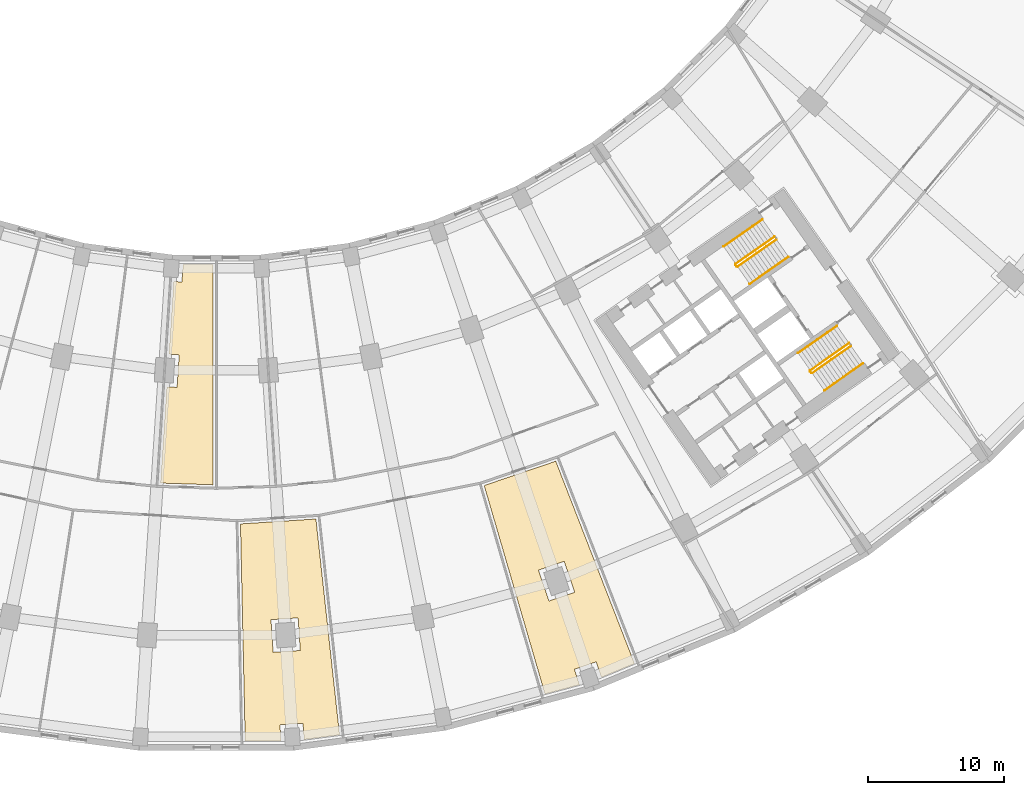
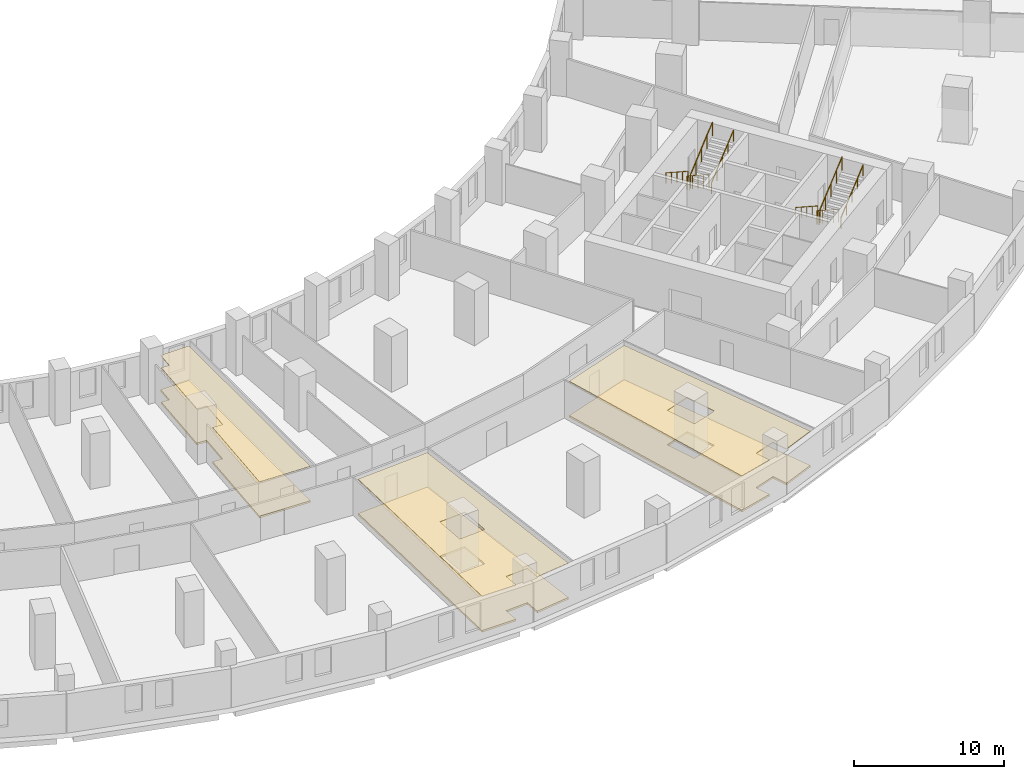
# One storey, part 17 of 19: 8 railings, 6 coverings.
"""IFC4 building model written with IfcOpenShell, lengths in metres."""

import ifcopenshell
import ifcopenshell.guid

model = None  # the IFC model being written
_history = None  # IfcOwnerHistory: only IFC2X3 demands one
_inside = {}  # id of a spatial element -> (the spatial element, [elements in it])
_under = {}  # id of a project, library or spatial element -> (it, [spatial elements below it])
_declared = {}  # id of a project -> (the project, [libraries it declares])
_typed = {}  # id of a type object -> (the type object, [elements of that type])
_made_of = {}  # id of a material, layer set ... -> (it, [elements and type objects made of it])


def new_model(schema):
    """Start an empty IFC model of exactly this schema.

    Asked for "IFC4X3", IfcOpenShell would pick the latest addendum, in which some entities
    have other attributes; the version numbers below select the first issue.
    IFC2X3 requires an IfcOwnerHistory on every rooted entity: one is made here for all.
    """
    global model, _history
    if schema == "IFC4X3":
        model = ifcopenshell.file(schema_version=(4, 3, 0, 0))
    else:
        model = ifcopenshell.file(schema=schema)
    _inside.clear()
    _under.clear()
    _declared.clear()
    _typed.clear()
    _made_of.clear()
    _history = None
    if model.schema == "IFC2X3":
        org = make("IfcOrganization", Name="unknown")
        user = make(
            "IfcPersonAndOrganization",
            ThePerson=make("IfcPerson", FamilyName="unknown"),
            TheOrganization=org,
        )
        app = make(
            "IfcApplication",
            ApplicationDeveloper=org,
            Version="unknown",
            ApplicationFullName="unknown",
            ApplicationIdentifier="unknown",
        )
        _history = make(
            "IfcOwnerHistory",
            OwningUser=user,
            OwningApplication=app,
            ChangeAction="ADDED",
            CreationDate=0,
        )
    return model


def make(cls, **values):
    """One entity of the class cls with the attributes given. An attribute that is None is left unset."""
    return model.create_entity(
        cls, **{name: value for name, value in values.items() if value is not None}
    )


def rooted(cls, **values):
    """An entity with a GlobalId (a new one), such as an element, a storey or a relation."""
    return make(cls, GlobalId=ifcopenshell.guid.new(), OwnerHistory=_history, **values)


def si_unit(unit_type, name, prefix=None):
    """IfcSIUnit, for example si_unit("LENGTHUNIT", "METRE", prefix="MILLI")."""
    return make("IfcSIUnit", UnitType=unit_type, Prefix=prefix, Name=name)


def assignment(units):
    """IfcUnitAssignment: the units of a project."""
    return None if units is None else make("IfcUnitAssignment", Units=units)


def point(xyz):
    """IfcCartesianPoint."""
    return None if xyz is None else make("IfcCartesianPoint", Coordinates=xyz)


def direction(xyz):
    """IfcDirection."""
    return None if xyz is None else make("IfcDirection", DirectionRatios=xyz)


def frame(location, z_axis=None, x_axis=None):
    """IfcAxis2Placement3D, a coordinate frame: its origin and axes. An axis left out is left unset."""
    return make(
        "IfcAxis2Placement3D",
        Location=point(location),
        Axis=direction(z_axis),
        RefDirection=direction(x_axis),
    )


def frame_2d(location, x_axis=None):
    """IfcAxis2Placement2D, a coordinate frame in the plane: its origin and x axis."""
    return make(
        "IfcAxis2Placement2D", Location=point(location), RefDirection=direction(x_axis)
    )


def origin():
    """The frame at (0, 0, 0) with its axes left unset."""
    return frame((0.0, 0.0, 0.0))


def origin_2d():
    """The frame at (0, 0) in the plane with its x axis left unset."""
    return frame_2d((0.0, 0.0))


def place(relative_to, where):
    """IfcLocalPlacement: puts the frame where relative to a parent placement (None: the world)."""
    return make(
        "IfcLocalPlacement", PlacementRelTo=relative_to, RelativePlacement=where
    )


def context(
    kind, dimensions, precision=None, world=None, true_north=None, identifier=None
):
    """IfcGeometricRepresentationContext, for example the 3D "Model" context."""
    return make(
        "IfcGeometricRepresentationContext",
        ContextIdentifier=identifier,
        ContextType=kind,
        CoordinateSpaceDimension=dimensions,
        Precision=precision,
        WorldCoordinateSystem=world,
        TrueNorth=true_north,
    )


def subcontext(parent, identifier, kind, view, scale=None):
    """IfcGeometricRepresentationSubContext, for example "Body" below "Model"."""
    return make(
        "IfcGeometricRepresentationSubContext",
        ContextIdentifier=identifier,
        ContextType=kind,
        ParentContext=parent,
        TargetScale=scale,
        TargetView=view,
    )


def project(units=None, contexts=None):
    """IfcProject with its units and contexts."""
    return rooted(
        "IfcProject",
        Name="project",
        RepresentationContexts=contexts,
        UnitsInContext=assignment(units),
    )


def spatial(cls, under=None, at=None, **own):
    """A site, building, storey or space (cls), placed at a placement, below another one or the project."""
    s = rooted(cls, ObjectPlacement=at, **own)
    if under is not None:
        _under.setdefault(under.id(), (under, []))[1].append(s)
    return s


def polyline(points):
    """IfcPolyline through the points."""
    return make("IfcPolyline", Points=[point(p) for p in points])


def profile(cls, at=None, kind="AREA", **sizes):
    """A parametric profile (cls). Its sizes go by their IFC names, for example OverallWidth=200.0."""
    return make(cls, ProfileType=kind, Position=at, **sizes)


def circle(**sizes):
    """IfcCircleProfileDef."""
    return profile("IfcCircleProfileDef", **sizes)


def outline(outer, holes=None, kind="AREA"):
    """IfcArbitraryClosedProfileDef: a profile drawn as a closed curve; with holes, ...WithVoids."""
    if holes is None:
        return make("IfcArbitraryClosedProfileDef", ProfileType=kind, OuterCurve=outer)
    return make(
        "IfcArbitraryProfileDefWithVoids",
        ProfileType=kind,
        OuterCurve=outer,
        InnerCurves=holes,
    )


def extrude(swept, where, along, depth):
    """IfcExtrudedAreaSolid: the profile swept, set in the frame where, extruded along a direction by depth."""
    return make(
        "IfcExtrudedAreaSolid",
        SweptArea=swept,
        Position=where,
        ExtrudedDirection=direction(along),
        Depth=depth,
    )


def shape(context_of_items, identifier, shape_type, items):
    """IfcShapeRepresentation: the items that make up one representation, for example the "Body"."""
    return make(
        "IfcShapeRepresentation",
        ContextOfItems=context_of_items,
        RepresentationIdentifier=identifier,
        RepresentationType=shape_type,
        Items=items,
    )


def material(Name=None, Category=None):
    """IfcMaterial."""
    return make("IfcMaterial", Name=Name, Category=Category)


def layer(
    of_material, thickness, ventilated=None, Name=None, Category=None, Priority=None
):
    """IfcMaterialLayer: one layer of a wall or slab, of a material (None: an air gap)."""
    return make(
        "IfcMaterialLayer",
        Material=of_material,
        LayerThickness=thickness,
        IsVentilated=ventilated,
        Name=Name,
        Category=Category,
        Priority=Priority,
    )


def layer_set(layers, Name=None):
    """IfcMaterialLayerSet."""
    return make("IfcMaterialLayerSet", MaterialLayers=layers, LayerSetName=Name)


def made_of(thing, what):
    """Note that an element or type object is made of a material, layer set ...; save() writes the relation."""
    if what is not None:
        _made_of.setdefault(what.id(), (what, []))[1].append(thing)
    return thing


def type_object(cls, material=None, **own):
    """A type object (cls), such as IfcWallType, which elements share."""
    return made_of(rooted(cls, **own), material)


def element(
    cls,
    number,
    at=None,
    inside=None,
    cuts=None,
    type_object=None,
    material=None,
    context=None,
    identifier="Body",
    shape_type=None,
    held_by="IfcProductDefinitionShape",
    body=None,
    shapes=None,
    **own,
):
    """One element of the class cls, such as IfcWall. Its Tag is "e" and its number.

    at: its placement. inside: the storey or other place that contains it. cuts: it is an
    opening in that element (IfcRelVoidsElement). A single representation is given by context,
    identifier, shape_type and body (its items); several are given by shapes. held_by: the class
    of the entity that holds the representations. save() writes the other relations.
    """
    e = rooted(cls, Tag="e%d" % number, ObjectPlacement=at, **own)
    if body is not None:
        shapes = [shape(context, identifier, shape_type, body)]
    if shapes is not None:
        e.Representation = make(held_by, Representations=shapes)
    if inside is not None:
        _inside.setdefault(inside.id(), (inside, []))[1].append(e)
    if cuts is not None:
        rooted(
            "IfcRelVoidsElement", RelatingBuildingElement=cuts, RelatedOpeningElement=e
        )
    if type_object is not None:
        _typed.setdefault(type_object.id(), (type_object, []))[1].append(e)
    return made_of(e, material)


def aggregate(whole, parts):
    """IfcRelAggregates: a whole, such as a stair, and the parts it consists of."""
    return rooted("IfcRelAggregates", RelatingObject=whole, RelatedObjects=parts)


def save(model, path):
    """Write the relations noted so far, then the file.

    IfcRelAggregates (storeys below a building ...), IfcRelContainedInSpatialStructure (elements
    in a storey), IfcRelDefinesByType, IfcRelAssociatesMaterial and IfcRelDeclares: one each for
    every whole, place, type object, material and project.
    """
    for whole, parts in _under.values():
        aggregate(whole, parts)
    for where, things in _inside.values():
        rooted(
            "IfcRelContainedInSpatialStructure",
            RelatedElements=things,
            RelatingStructure=where,
        )
    for kind, things in _typed.values():
        rooted("IfcRelDefinesByType", RelatedObjects=things, RelatingType=kind)
    for what, things in _made_of.values():
        rooted("IfcRelAssociatesMaterial", RelatedObjects=things, RelatingMaterial=what)
    for by, libraries in _declared.values():
        rooted("IfcRelDeclares", RelatingContext=by, RelatedDefinitions=libraries)
    model.write(path)


model = new_model("IFC4")

# Units and contexts
model_context = context("Model", 3, precision=1e-05, world=origin(), true_north=direction((0.0, 1.0)))
body_context = subcontext(model_context, "Body", "Model", "MODEL_VIEW")
ifc_project = project(units=[si_unit("LENGTHUNIT", "METRE"), si_unit("AREAUNIT", "SQUARE_METRE"), si_unit("VOLUMEUNIT", "CUBIC_METRE"), si_unit("PLANEANGLEUNIT", "RADIAN"), si_unit("MASSUNIT", "GRAM", prefix="KILO")], contexts=[model_context])

# Site, building, storey
site_placement = place(None, origin())
site = spatial("IfcSite", under=ifc_project, at=site_placement, CompositionType="ELEMENT")
building_placement = place(site_placement, origin())
building = spatial("IfcBuilding", under=site, at=building_placement, Name="Qamariyya Broadcast Tower", CompositionType="ELEMENT")
storey_placement = place(building_placement, frame((0.0, 0.0, 36.0)))
storey = spatial("IfcBuildingStorey", under=building, at=storey_placement, Name="L05", CompositionType="ELEMENT", Elevation=36.0)

# Coverings
ifc_material_1 = material(Name="Raised access floor")
ifc_layer_1 = layer(ifc_material_1, 0.14990234375)
ifc_layer_set_1 = layer_set([ifc_layer_1], Name="Raised access floor 150")
covering_type_1 = type_object("IfcCoveringType", Name="Raised access floor 150", PredefinedType="FLOORING", material=ifc_layer_set_1)
covering_1_placement = place(storey_placement, origin())
element("IfcCovering", 1, at=covering_1_placement, inside=storey, type_object=covering_type_1, Name="Flooring L05-F01", PredefinedType="FLOORING", context=body_context, shape_type="SweptSolid", body=[
    extrude(outline(polyline([(9.04541015625, -84.9111328125), (6.439697265625, -85.254150390625), (6.361572265625, -84.06396484375), (4.665283203125, -84.175048828125), (4.743408203125, -85.365234375), (2.114990234375, -85.365234375), (1.7666015625, -69.417236328125), (7.309326171875, -69.053955078125), (9.04541015625, -84.9111328125)]), holes=[polyline([(4.165771484375, -78.846435546875), (6.161376953125, -78.715576171875), (6.00439453125, -76.32080078125), (4.0087890625, -76.451416015625), (4.165771484375, -78.846435546875)])]), origin(), (0.0, 0.0, 1.0), 0.14990234375),
])
covering_2_placement = place(storey_placement, origin())
element("IfcCovering", 2, at=covering_2_placement, inside=storey, type_object=covering_type_1, Name="Flooring L05-F02", PredefinedType="FLOORING", context=body_context, shape_type="SweptSolid", body=[
    extrude(outline(polyline([(30.7138671875, -79.6767578125), (28.28564453125, -80.682373046875), (27.90234375, -79.552978515625), (26.29248046875, -80.099365234375), (26.67578125, -81.22900390625), (24.13720703125, -81.9091796875), (19.673095703125, -66.5947265625), (24.9326171875, -64.809326171875), (30.7138671875, -79.6767578125)]), holes=[polyline([(24.4306640625, -75.08154296875), (26.324462890625, -74.438720703125), (25.55322265625, -72.166015625), (23.6591796875, -72.808837890625), (24.4306640625, -75.08154296875)])]), origin(), (0.0, 0.0, 1.0), 0.14990234375),
])
covering_3_placement = place(storey_placement, origin())
element("IfcCovering", 3, at=covering_3_placement, inside=storey, type_object=covering_type_1, Name="Flooring L05-F03", PredefinedType="FLOORING", context=body_context, shape_type="SweptSolid", body=[
    extrude(outline(polyline([(-3.638671875, -59.339111328125), (-2.890380859375, -59.38818359375), (-2.7333984375, -56.9931640625), (-3.481689453125, -56.944091796875), (-3.1318359375, -51.605712890625), (-2.533203125, -51.64501953125), (-2.44775390625, -50.343505859375), (-0.25, -50.343505859375), (-0.25, -66.541748046875), (-4.1025390625, -66.41552734375), (-3.638671875, -59.339111328125)])), origin(), (0.0, 0.0, 1.0), 0.14990234375),
])

# Railings
ifc_material_2 = material(Name="Painted steel", Category="steel")
railing_type_1 = type_object("IfcRailingType", Name="Stair guard", PredefinedType="GUARDRAIL", material=ifc_material_2)
railing_1_placement = place(storey_placement, frame((41.003173828125, -48.320068359375, 0.173095703125)))
element("IfcRailing", 4, at=railing_1_placement, inside=storey, type_object=railing_type_1, Name="L05 ST-E2 stair guard 1", PredefinedType="GUARDRAIL", context=body_context, shape_type="SweptSolid", body=[
    extrude(circle(Radius=0.02392578125, at=origin_2d()), frame((0.0, 0.0, 1.076171875), z_axis=(-0.703392637411, -0.492543525477, 0.512483827206), x_axis=(0.573594173421, -0.819139624372, 0.0)), (0.0, 0.0, 1.0), 4.052734375),
    extrude(circle(Radius=0.02392578125, at=origin_2d()), frame((-2.8505859375, -1.99609375, 3.15283203125), z_axis=(-0.172799478008, -0.984957024646, 0.0), x_axis=(0.984957024646, -0.172799478008, 0.0)), (0.0, 0.0, 1.0), 0.070556640625),
    extrude(circle(Radius=0.02392578125, at=origin_2d()), frame((-2.86279296875, -2.065673828125, 3.15283203125), z_axis=(0.573353020881, -0.819308436089, 0.0), x_axis=(0.819308436089, 0.573353020881, 0.0)), (0.0, 0.0, 1.0), 0.14990234375),
    extrude(circle(Radius=0.02099609375, at=origin_2d()), origin(), (0.0, 0.0, 1.0), 1.052001953125),
    extrude(circle(Radius=0.02099609375, at=origin_2d()), frame((-0.712646484375, -0.4990234375, 0.519287109375)), (0.0, 0.0, 1.0), 1.052001953125),
    extrude(circle(Radius=0.02099609375, at=origin_2d()), frame((-1.42529296875, -0.998046875, 1.03857421875)), (0.0, 0.0, 1.0), 1.052001953125),
    extrude(circle(Radius=0.02099609375, at=origin_2d()), frame((-2.137939453125, -1.4970703125, 1.5576171875)), (0.0, 0.0, 1.0), 1.052001953125),
    extrude(circle(Radius=0.02099609375, at=origin_2d()), frame((-2.8505859375, -1.99609375, 2.076904296875)), (0.0, 0.0, 1.0), 1.052001953125),
    extrude(circle(Radius=0.02099609375, at=origin_2d()), frame((-2.86279296875, -2.065673828125, 2.076904296875)), (0.0, 0.0, 1.0), 1.052001953125),
    extrude(circle(Radius=0.02099609375, at=origin_2d()), frame((-2.77685546875, -2.1884765625, 2.076904296875)), (0.0, 0.0, 1.0), 1.052001953125),
])
railing_2_placement = place(storey_placement, frame((38.2958984375, -50.52099609375, 2.423095703125)))
element("IfcRailing", 5, at=railing_2_placement, inside=storey, type_object=railing_type_1, Name="L05 ST-E2 stair guard 2", PredefinedType="GUARDRAIL", context=body_context, shape_type="SweptSolid", body=[
    extrude(circle(Radius=0.02392578125, at=origin_2d()), frame((0.0, 0.0, 1.076171875), z_axis=(0.703423072377, 0.49252265477, 0.512462111562), x_axis=(-0.573561211868, 0.819162704376, 0.0)), (0.0, 0.0, 1.0), 4.052734375),
    extrude(circle(Radius=0.02099609375, at=origin_2d()), origin(), (0.0, 0.0, 1.0), 1.052001953125),
    extrude(circle(Radius=0.02099609375, at=origin_2d()), frame((0.712646484375, 0.4990234375, 0.519287109375)), (0.0, 0.0, 1.0), 1.052001953125),
    extrude(circle(Radius=0.02099609375, at=origin_2d()), frame((1.42529296875, 0.998046875, 1.03857421875)), (0.0, 0.0, 1.0), 1.052001953125),
    extrude(circle(Radius=0.02099609375, at=origin_2d()), frame((2.13818359375, 1.4970703125, 1.5576171875)), (0.0, 0.0, 1.0), 1.052001953125),
    extrude(circle(Radius=0.02099609375, at=origin_2d()), frame((2.850830078125, 1.99609375, 2.076904296875)), (0.0, 0.0, 1.0), 1.052001953125),
])
railing_3_placement = place(storey_placement, frame((46.48095703125, -56.14306640625, 0.173095703125)))
element("IfcRailing", 6, at=railing_3_placement, inside=storey, type_object=railing_type_1, Name="L05 ST-E1 stair guard 1", PredefinedType="GUARDRAIL", context=body_context, shape_type="SweptSolid", body=[
    extrude(circle(Radius=0.02392578125, at=origin_2d()), frame((0.0, 0.0, 1.076171875), z_axis=(-0.703413508203, -0.492497895646, 0.512499033426), x_axis=(0.57354709673, -0.81917258733, 0.0)), (0.0, 0.0, 1.0), 4.052490234375),
    extrude(circle(Radius=0.02392578125, at=origin_2d()), frame((-2.8505859375, -1.995849609375, 3.15283203125), z_axis=(-0.175552359694, -0.984470095537, 0.0), x_axis=(0.984470095537, -0.175552359694, 0.0)), (0.0, 0.0, 1.0), 0.071044921875),
    extrude(circle(Radius=0.02392578125, at=origin_2d()), frame((-2.863037109375, -2.065673828125, 3.15283203125), z_axis=(0.574444878118, -0.818543268254, 0.0), x_axis=(0.818543268254, 0.574444878118, 0.0)), (0.0, 0.0, 1.0), 0.150146484375),
    extrude(circle(Radius=0.02099609375, at=origin_2d()), origin(), (0.0, 0.0, 1.0), 1.052001953125),
    extrude(circle(Radius=0.02099609375, at=origin_2d()), frame((-0.712646484375, -0.4990234375, 0.519287109375)), (0.0, 0.0, 1.0), 1.052001953125),
    extrude(circle(Radius=0.02099609375, at=origin_2d()), frame((-1.42529296875, -0.998046875, 1.03857421875)), (0.0, 0.0, 1.0), 1.052001953125),
    extrude(circle(Radius=0.02099609375, at=origin_2d()), frame((-2.137939453125, -1.496826171875, 1.5576171875)), (0.0, 0.0, 1.0), 1.052001953125),
    extrude(circle(Radius=0.02099609375, at=origin_2d()), frame((-2.8505859375, -1.995849609375, 2.076904296875)), (0.0, 0.0, 1.0), 1.052001953125),
    extrude(circle(Radius=0.02099609375, at=origin_2d()), frame((-2.863037109375, -2.065673828125, 2.076904296875)), (0.0, 0.0, 1.0), 1.052001953125),
    extrude(circle(Radius=0.02099609375, at=origin_2d()), frame((-2.77685546875, -2.1884765625, 2.076904296875)), (0.0, 0.0, 1.0), 1.052001953125),
])
railing_4_placement = place(storey_placement, frame((43.773681640625, -58.34375, 2.423095703125)))
element("IfcRailing", 7, at=railing_4_placement, inside=storey, type_object=railing_type_1, Name="L05 ST-E1 stair guard 2", PredefinedType="GUARDRAIL", context=body_context, shape_type="SweptSolid", body=[
    extrude(circle(Radius=0.02392578125, at=origin_2d()), frame((0.0, 0.0, 1.076171875), z_axis=(0.703392637411, 0.492543525477, 0.512483827206), x_axis=(-0.573594173421, 0.819139624372, 0.0)), (0.0, 0.0, 1.0), 4.052734375),
    extrude(circle(Radius=0.02099609375, at=origin_2d()), origin(), (0.0, 0.0, 1.0), 1.052001953125),
    extrude(circle(Radius=0.02099609375, at=origin_2d()), frame((0.712646484375, 0.4990234375, 0.519287109375)), (0.0, 0.0, 1.0), 1.052001953125),
    extrude(circle(Radius=0.02099609375, at=origin_2d()), frame((1.42529296875, 0.998046875, 1.03857421875)), (0.0, 0.0, 1.0), 1.052001953125),
    extrude(circle(Radius=0.02099609375, at=origin_2d()), frame((2.137939453125, 1.4970703125, 1.5576171875)), (0.0, 0.0, 1.0), 1.052001953125),
    extrude(circle(Radius=0.02099609375, at=origin_2d()), frame((2.8505859375, 1.99609375, 2.076904296875)), (0.0, 0.0, 1.0), 1.052001953125),
])
ifc_material_3 = material(Name="Stainless steel", Category="steel")
railing_type_2 = type_object("IfcRailingType", Name="Stair handrail", PredefinedType="HANDRAIL", material=ifc_material_3)
railing_5_placement = place(storey_placement, frame((40.1142578125, -47.05029296875, 0.173095703125)))
element("IfcRailing", 8, at=railing_5_placement, inside=storey, type_object=railing_type_2, Name="L05 ST-E2 stair handrail 1", PredefinedType="HANDRAIL", context=body_context, shape_type="SweptSolid", body=[
    extrude(circle(Radius=0.02392578125, at=origin_2d()), frame((0.0, 0.0, 0.8759765625), z_axis=(-0.703392637411, -0.492543525477, 0.512483827206), x_axis=(0.573594173421, -0.819139624372, 0.0)), (0.0, 0.0, 1.0), 4.052734375),
    extrude(circle(Radius=0.02099609375, at=origin_2d()), origin(), (0.0, 0.0, 1.0), 0.851806640625),
    extrude(circle(Radius=0.02099609375, at=origin_2d()), frame((-0.712646484375, -0.4990234375, 0.519287109375)), (0.0, 0.0, 1.0), 0.851806640625),
    extrude(circle(Radius=0.02099609375, at=origin_2d()), frame((-1.42529296875, -0.998046875, 1.03857421875)), (0.0, 0.0, 1.0), 0.851806640625),
    extrude(circle(Radius=0.02099609375, at=origin_2d()), frame((-2.137939453125, -1.4970703125, 1.5576171875)), (0.0, 0.0, 1.0), 0.851806640625),
    extrude(circle(Radius=0.02099609375, at=origin_2d()), frame((-2.8505859375, -1.99609375, 2.076904296875)), (0.0, 0.0, 1.0), 0.851806640625),
])
railing_6_placement = place(storey_placement, frame((39.18505859375, -51.79052734375, 2.423095703125)))
element("IfcRailing", 9, at=railing_6_placement, inside=storey, type_object=railing_type_2, Name="L05 ST-E2 stair handrail 2", PredefinedType="HANDRAIL", context=body_context, shape_type="SweptSolid", body=[
    extrude(circle(Radius=0.02392578125, at=origin_2d()), frame((0.0, 0.0, 0.8759765625), z_axis=(0.703392637411, 0.492543525477, 0.512483827206), x_axis=(-0.573594173421, 0.819139624372, 0.0)), (0.0, 0.0, 1.0), 4.052734375),
    extrude(circle(Radius=0.02099609375, at=origin_2d()), origin(), (0.0, 0.0, 1.0), 0.851806640625),
    extrude(circle(Radius=0.02099609375, at=origin_2d()), frame((0.712646484375, 0.4990234375, 0.519287109375)), (0.0, 0.0, 1.0), 0.851806640625),
    extrude(circle(Radius=0.02099609375, at=origin_2d()), frame((1.42529296875, 0.998046875, 1.03857421875)), (0.0, 0.0, 1.0), 0.851806640625),
    extrude(circle(Radius=0.02099609375, at=origin_2d()), frame((2.137939453125, 1.4970703125, 1.5576171875)), (0.0, 0.0, 1.0), 0.851806640625),
    extrude(circle(Radius=0.02099609375, at=origin_2d()), frame((2.8505859375, 1.99609375, 2.076904296875)), (0.0, 0.0, 1.0), 0.851806640625),
])
railing_7_placement = place(storey_placement, frame((45.591796875, -54.873291015625, 0.173095703125)))
element("IfcRailing", 10, at=railing_7_placement, inside=storey, type_object=railing_type_2, Name="L05 ST-E1 stair handrail 1", PredefinedType="HANDRAIL", context=body_context, shape_type="SweptSolid", body=[
    extrude(circle(Radius=0.02392578125, at=origin_2d()), frame((0.0, 0.0, 0.8759765625), z_axis=(-0.703392637411, -0.492543525477, 0.512483827206), x_axis=(0.573594173421, -0.819139624372, 0.0)), (0.0, 0.0, 1.0), 4.052734375),
    extrude(circle(Radius=0.02099609375, at=origin_2d()), origin(), (0.0, 0.0, 1.0), 0.851806640625),
    extrude(circle(Radius=0.02099609375, at=origin_2d()), frame((-0.712646484375, -0.4990234375, 0.519287109375)), (0.0, 0.0, 1.0), 0.851806640625),
    extrude(circle(Radius=0.02099609375, at=origin_2d()), frame((-1.42529296875, -0.998046875, 1.03857421875)), (0.0, 0.0, 1.0), 0.851806640625),
    extrude(circle(Radius=0.02099609375, at=origin_2d()), frame((-2.137939453125, -1.4970703125, 1.5576171875)), (0.0, 0.0, 1.0), 0.851806640625),
    extrude(circle(Radius=0.02099609375, at=origin_2d()), frame((-2.8505859375, -1.99609375, 2.076904296875)), (0.0, 0.0, 1.0), 0.851806640625),
])
railing_8_placement = place(storey_placement, frame((44.66259765625, -59.613525390625, 2.423095703125)))
element("IfcRailing", 11, at=railing_8_placement, inside=storey, type_object=railing_type_2, Name="L05 ST-E1 stair handrail 2", PredefinedType="HANDRAIL", context=body_context, shape_type="SweptSolid", body=[
    extrude(circle(Radius=0.02392578125, at=origin_2d()), frame((0.0, 0.0, 0.8759765625), z_axis=(0.703423072377, 0.49252265477, 0.512462111562), x_axis=(-0.573561211868, 0.819162704376, 0.0)), (0.0, 0.0, 1.0), 4.052734375),
    extrude(circle(Radius=0.02099609375, at=origin_2d()), origin(), (0.0, 0.0, 1.0), 0.851806640625),
    extrude(circle(Radius=0.02099609375, at=origin_2d()), frame((0.712646484375, 0.4990234375, 0.519287109375)), (0.0, 0.0, 1.0), 0.851806640625),
    extrude(circle(Radius=0.02099609375, at=origin_2d()), frame((1.42529296875, 0.998046875, 1.03857421875)), (0.0, 0.0, 1.0), 0.851806640625),
    extrude(circle(Radius=0.02099609375, at=origin_2d()), frame((2.13818359375, 1.4970703125, 1.5576171875)), (0.0, 0.0, 1.0), 0.851806640625),
    extrude(circle(Radius=0.02099609375, at=origin_2d()), frame((2.850830078125, 1.99609375, 2.076904296875)), (0.0, 0.0, 1.0), 0.851806640625),
])

# Coverings
ifc_material_4 = material(Name="Perforated plasterboard ceiling")
ifc_layer_2 = layer(ifc_material_4, 0.06005859375)
ifc_layer_set_2 = layer_set([ifc_layer_2], Name="Suspended acoustic ceiling 60")
covering_type_2 = type_object("IfcCoveringType", Name="Suspended acoustic ceiling 60", PredefinedType="CEILING", material=ifc_layer_set_2)
covering_4_placement = place(storey_placement, frame((0.0, 0.0, 2.889892578125)))
element("IfcCovering", 12, at=covering_4_placement, inside=storey, type_object=covering_type_2, Name="Ceiling L05-C01", PredefinedType="CEILING", context=body_context, shape_type="SweptSolid", body=[
    extrude(outline(polyline([(9.04541015625, -84.9111328125), (6.439697265625, -85.254150390625), (6.361572265625, -84.06396484375), (4.665283203125, -84.175048828125), (4.743408203125, -85.365234375), (2.114990234375, -85.365234375), (1.7666015625, -69.417236328125), (7.309326171875, -69.053955078125), (9.04541015625, -84.9111328125)]), holes=[polyline([(4.165771484375, -78.846435546875), (6.161376953125, -78.715576171875), (6.00439453125, -76.32080078125), (4.0087890625, -76.451416015625), (4.165771484375, -78.846435546875)])]), origin(), (0.0, 0.0, 1.0), 0.06005859375),
])
covering_5_placement = place(storey_placement, frame((0.0, 0.0, 2.889892578125)))
element("IfcCovering", 13, at=covering_5_placement, inside=storey, type_object=covering_type_2, Name="Ceiling L05-C02", PredefinedType="CEILING", context=body_context, shape_type="SweptSolid", body=[
    extrude(outline(polyline([(30.7138671875, -79.6767578125), (28.28564453125, -80.682373046875), (27.90234375, -79.552978515625), (26.29248046875, -80.099365234375), (26.67578125, -81.22900390625), (24.13720703125, -81.9091796875), (19.673095703125, -66.5947265625), (24.9326171875, -64.809326171875), (30.7138671875, -79.6767578125)]), holes=[polyline([(24.4306640625, -75.08154296875), (26.324462890625, -74.438720703125), (25.55322265625, -72.166015625), (23.6591796875, -72.808837890625), (24.4306640625, -75.08154296875)])]), origin(), (0.0, 0.0, 1.0), 0.06005859375),
])
covering_6_placement = place(storey_placement, frame((0.0, 0.0, 2.889892578125)))
element("IfcCovering", 14, at=covering_6_placement, inside=storey, type_object=covering_type_2, Name="Ceiling L05-C03", PredefinedType="CEILING", context=body_context, shape_type="SweptSolid", body=[
    extrude(outline(polyline([(-3.638671875, -59.339111328125), (-2.890380859375, -59.38818359375), (-2.7333984375, -56.9931640625), (-3.481689453125, -56.944091796875), (-3.1318359375, -51.605712890625), (-2.533203125, -51.64501953125), (-2.44775390625, -50.343505859375), (-0.25, -50.343505859375), (-0.25, -66.541748046875), (-4.1025390625, -66.41552734375), (-3.638671875, -59.339111328125)])), origin(), (0.0, 0.0, 1.0), 0.06005859375),
])

save(model, "model.ifc")
